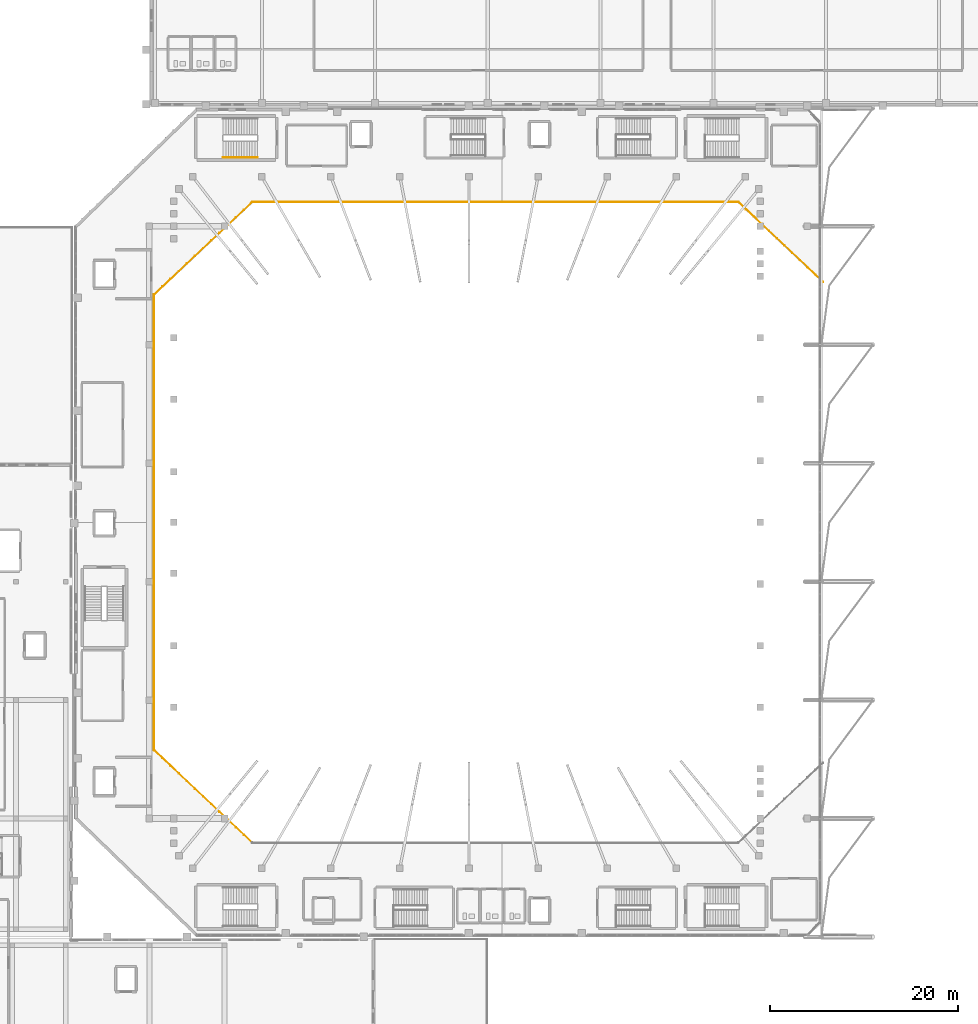
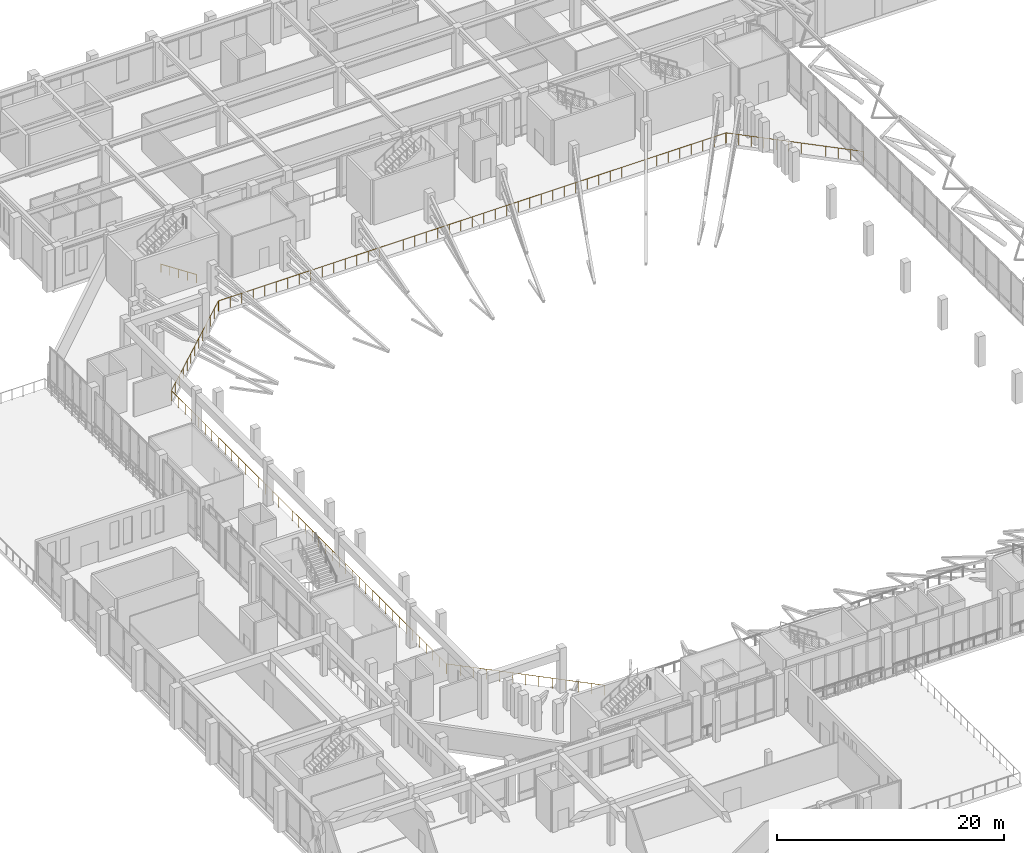
# One storey, part 76 of 79: 2 railings.
"""IFC4 building model written with IfcOpenShell, lengths in metres."""

from ifc_helpers import new_model, si_unit, derived_unit, direction, frame, origin, origin_2d, place, context, subcontext, project, spatial, circle, extrude, material, type_object, element, save


model = new_model("IFC4")

# Units and contexts
model_context = context("Model", 3, precision=1e-05, world=origin(), true_north=direction((0.0, 1.0)))
body_context = subcontext(model_context, "Body", "Model", "MODEL_VIEW")
ifc_project = project(units=[si_unit("LENGTHUNIT", "METRE"), si_unit("AREAUNIT", "SQUARE_METRE"), si_unit("VOLUMEUNIT", "CUBIC_METRE"), si_unit("PLANEANGLEUNIT", "RADIAN"), si_unit("MASSUNIT", "GRAM", prefix="KILO"), derived_unit("THERMALTRANSMITTANCEUNIT", [(si_unit("MASSUNIT", "GRAM", prefix="KILO"), 1), (si_unit("TIMEUNIT", "SECOND"), -3), (si_unit("THERMODYNAMICTEMPERATUREUNIT", "KELVIN"), -1)])], contexts=[model_context])

# Site, building, storey
site_placement = place(None, origin())
site = spatial("IfcSite", under=ifc_project, at=site_placement, CompositionType="ELEMENT")
building_placement = place(site_placement, origin())
building = spatial("IfcBuilding", under=site, at=building_placement, Name="Valcora Ridge Arena", CompositionType="ELEMENT")
storey_placement = place(building_placement, frame((0.0, 0.0, 16.199951171875)))
storey = spatial("IfcBuildingStorey", under=building, at=storey_placement, Name="L03", CompositionType="ELEMENT", Elevation=16.199951171875)

# Railings
ifc_material = material(Name="Galvanized painted steel ASTM A500 Grade B", Category="steel")
railing_type_1 = type_object("IfcRailingType", Name="TY-RAILING-GRD-VOID-1120", PredefinedType="GUARDRAIL", material=ifc_material)
railing_1_placement = place(storey_placement, frame((34.931396484375, 30.027099609375, 0.0)))
element("IfcRailing", 1, at=railing_1_placement, inside=storey, type_object=railing_type_1, Name="GRD-VOID-1120 RAL-DK-0007", PredefinedType="GUARDRAIL", context=body_context, shape_type="SweptSolid", body=[
    extrude(circle(Radius=0.02392578125, at=origin_2d()), frame((0.0, 0.0, 1.09619140625), z_axis=(-0.727784052116, 0.685806367341, 0.0), x_axis=(-0.685806367341, -0.727784052116, 0.0)), (0.0, 0.0, 1.0), 14.289794921875),
    extrude(circle(Radius=0.02392578125, at=origin_2d()), frame((-10.39990234375, 9.800048828125, 1.09619140625), z_axis=(-0.683157128776, 0.730271413519, 0.0), x_axis=(-0.730271413519, -0.683157128776, 0.0)), (0.0, 0.0, 1.0), 0.01025390625),
    extrude(circle(Radius=0.02392578125, at=origin_2d()), frame((-10.406982421875, 9.8076171875, 1.09619140625), z_axis=(-0.630592625094, 0.776114000116, 0.0), x_axis=(-0.776114000116, -0.630592625094, 0.0)), (0.0, 0.0, 1.0), 0.010009765625),
    extrude(circle(Radius=0.02392578125, at=origin_2d()), frame((-10.413330078125, 9.8154296875, 1.09619140625), z_axis=(-0.521450009454, 0.853281833652, 0.0), x_axis=(-0.853281833652, -0.521450009454, 0.0)), (0.0, 0.0, 1.0), 0.01025390625),
    extrude(circle(Radius=0.02392578125, at=origin_2d()), frame((-10.418701171875, 9.82421875, 1.09619140625), z_axis=(-0.437465718849, 0.899235088746, 0.0), x_axis=(-0.899235088746, -0.437465718849, 0.0)), (0.0, 0.0, 1.0), 0.010009765625),
    extrude(circle(Radius=0.02392578125, at=origin_2d()), frame((-10.423095703125, 9.833251953125, 1.09619140625), z_axis=(-0.358979079309, 0.933345606203, 0.0), x_axis=(-0.933345606203, -0.358979079309, 0.0)), (0.0, 0.0, 1.0), 0.01025390625),
    extrude(circle(Radius=0.02392578125, at=origin_2d()), frame((-10.4267578125, 9.8427734375, 1.09619140625), z_axis=(-0.236956180191, 0.971520338783, 0.0), x_axis=(-0.971520338783, -0.236956180191, 0.0)), (0.0, 0.0, 1.0), 0.01025390625),
    extrude(circle(Radius=0.02392578125, at=origin_2d()), frame((-10.42919921875, 9.852783203125, 1.09619140625), z_axis=(-0.168296462892, 0.98573642551, 0.0), x_axis=(-0.98573642551, -0.168296462892, 0.0)), (0.0, 0.0, 1.0), 0.01025390625),
    extrude(circle(Radius=0.02392578125, at=origin_2d()), frame((-10.430908203125, 9.86279296875, 1.09619140625), z_axis=(-0.048722553713, 0.998812351125, 0.0), x_axis=(-0.998812351125, -0.048722553713, 0.0)), (0.0, 0.0, 1.0), 0.010009765625),
    extrude(circle(Radius=0.02392578125, at=origin_2d()), frame((-10.431396484375, 9.872802734375, 1.09619140625), z_axis=(0.0, 1.0, 0.0), x_axis=(-1.0, 0.0, 0.0)), (0.0, 0.0, 1.0), 48.400146484375),
    extrude(circle(Radius=0.02392578125, at=origin_2d()), frame((-10.431396484375, 58.27294921875, 1.09619140625), z_axis=(0.047565149415, 0.998868137724, 0.0), x_axis=(-0.998868137724, 0.047565149415, 0.0)), (0.0, 0.0, 1.0), 0.01025390625),
    extrude(circle(Radius=0.02392578125, at=origin_2d()), frame((-10.430908203125, 58.283203125, 1.09619140625), z_axis=(0.168296462892, 0.98573642551, 0.0), x_axis=(-0.98573642551, 0.168296462892, 0.0)), (0.0, 0.0, 1.0), 0.01025390625),
    extrude(circle(Radius=0.02392578125, at=origin_2d()), frame((-10.42919921875, 58.293212890625, 1.09619140625), z_axis=(0.242535625036, 0.970142500145, 0.0), x_axis=(-0.970142500145, 0.242535625036, 0.0)), (0.0, 0.0, 1.0), 0.010009765625),
    extrude(circle(Radius=0.02392578125, at=origin_2d()), frame((-10.4267578125, 58.302978515625, 1.09619140625), z_axis=(0.358979079309, 0.933345606203, 0.0), x_axis=(-0.933345606203, 0.358979079309, 0.0)), (0.0, 0.0, 1.0), 0.01025390625),
    extrude(circle(Radius=0.02392578125, at=origin_2d()), frame((-10.423095703125, 58.3125, 1.09619140625), z_axis=(0.428086344739, 0.903737838894, 0.0), x_axis=(-0.903737838894, 0.428086344739, 0.0)), (0.0, 0.0, 1.0), 0.01025390625),
    extrude(circle(Radius=0.02392578125, at=origin_2d()), frame((-10.418701171875, 58.32177734375, 1.09619140625), z_axis=(0.532171545218, 0.846636549211, 0.0), x_axis=(-0.846636549211, 0.532171545218, 0.0)), (0.0, 0.0, 1.0), 0.010009765625),
    extrude(circle(Radius=0.02392578125, at=origin_2d()), frame((-10.413330078125, 58.330322265625, 1.09619140625), z_axis=(0.618872226604, 0.785491672228, 0.0), x_axis=(-0.785491672228, 0.618872226604, 0.0)), (0.0, 0.0, 1.0), 0.01025390625),
    extrude(circle(Radius=0.02392578125, at=origin_2d()), frame((-10.406982421875, 58.33837890625, 1.09619140625), z_axis=(0.695022096847, 0.718988376049, 0.0), x_axis=(-0.718988376049, 0.695022096847, 0.0)), (0.0, 0.0, 1.0), 0.01025390625),
    extrude(circle(Radius=0.02392578125, at=origin_2d()), frame((-10.39990234375, 58.345703125, 1.09619140625), z_axis=(0.727784052116, 0.685806367341, 0.0), x_axis=(-0.685806367341, 0.727784052116, 0.0)), (0.0, 0.0, 1.0), 14.289794921875),
    extrude(circle(Radius=0.02392578125, at=origin_2d()), frame((0.0, 68.145751953125, 1.09619140625), z_axis=(0.768221279597, 0.640184399664, 0.0), x_axis=(-0.640184399664, 0.768221279597, 0.0)), (0.0, 0.0, 1.0), 0.009521484375),
    extrude(circle(Radius=0.02392578125, at=origin_2d()), frame((0.00732421875, 68.15185546875, 1.09619140625), z_axis=(0.815507144735, 0.578747005941, 0.0), x_axis=(-0.578747005941, 0.815507144735, 0.0)), (0.0, 0.0, 1.0), 0.00927734375),
    extrude(circle(Radius=0.02392578125, at=origin_2d()), frame((0.014892578125, 68.1572265625, 1.09619140625), z_axis=(0.861934215158, 0.507020126563, 0.0), x_axis=(-0.507020126563, 0.861934215158, 0.0)), (0.0, 0.0, 1.0), 0.009521484375),
    extrude(circle(Radius=0.02392578125, at=origin_2d()), frame((0.023193359375, 68.162109375, 1.09619140625), z_axis=(0.919145030018, 0.393919298579, 0.0), x_axis=(-0.393919298579, 0.919145030018, 0.0)), (0.0, 0.0, 1.0), 0.00927734375),
    extrude(circle(Radius=0.02392578125, at=origin_2d()), frame((0.03173828125, 68.165771484375, 1.09619140625), z_axis=(0.940553899692, 0.339644463778, 0.0), x_axis=(-0.339644463778, 0.940553899692, 0.0)), (0.0, 0.0, 1.0), 0.00927734375),
    extrude(circle(Radius=0.02392578125, at=origin_2d()), frame((0.04052734375, 68.1689453125, 1.09619140625), z_axis=(0.97308028749, 0.230466383879, 0.0), x_axis=(-0.230466383879, 0.97308028749, 0.0)), (0.0, 0.0, 1.0), 0.009521484375),
    extrude(circle(Radius=0.02392578125, at=origin_2d()), frame((0.0498046875, 68.171142578125, 1.09619140625), z_axis=(0.987762965329, 0.155962573473, 0.0), x_axis=(-0.155962573473, 0.987762965329, 0.0)), (0.0, 0.0, 1.0), 0.00927734375),
    extrude(circle(Radius=0.02392578125, at=origin_2d()), frame((0.05908203125, 68.172607421875, 1.09619140625), z_axis=(0.999671430909, 0.025632600793, 0.0), x_axis=(-0.025632600793, 0.999671430909, 0.0)), (0.0, 0.0, 1.0), 0.009521484375),
    extrude(circle(Radius=0.02392578125, at=origin_2d()), frame((0.068603515625, 68.1728515625, 1.09619140625), z_axis=(1.0, 0.0, 0.0), x_axis=(0.0, 1.0, 0.0)), (0.0, 0.0, 1.0), 51.60009765625),
    extrude(circle(Radius=0.02392578125, at=origin_2d()), frame((51.668701171875, 68.1728515625, 1.09619140625), z_axis=(0.999653919353, -0.026306682088, 0.0), x_axis=(0.026306682088, 0.999653919353, 0.0)), (0.0, 0.0, 1.0), 0.00927734375),
    extrude(circle(Radius=0.02392578125, at=origin_2d()), frame((51.677978515625, 68.172607421875, 1.09619140625), z_axis=(0.988371697651, -0.152057184254, 0.0), x_axis=(0.152057184254, 0.988371697651, 0.0)), (0.0, 0.0, 1.0), 0.009521484375),
    extrude(circle(Radius=0.02392578125, at=origin_2d()), frame((51.6875, 68.171142578125, 1.09619140625), z_axis=(0.971667603162, -0.236351579148, 0.0), x_axis=(0.236351579148, 0.971667603162, 0.0)), (0.0, 0.0, 1.0), 0.00927734375),
    extrude(circle(Radius=0.02392578125, at=origin_2d()), frame((51.696533203125, 68.1689453125, 1.09619140625), z_axis=(0.943460139651, -0.331485995013, 0.0), x_axis=(0.331485995013, 0.943460139651, 0.0)), (0.0, 0.0, 1.0), 0.009521484375),
    extrude(circle(Radius=0.02392578125, at=origin_2d()), frame((51.70556640625, 68.165771484375, 1.09619140625), z_axis=(0.919145030018, -0.393919298579, 0.0), x_axis=(0.393919298579, 0.919145030018, 0.0)), (0.0, 0.0, 1.0), 0.00927734375),
    extrude(circle(Radius=0.02392578125, at=origin_2d()), frame((51.714111328125, 68.162109375, 1.09619140625), z_axis=(0.861934215158, -0.507020126563, 0.0), x_axis=(0.507020126563, 0.861934215158, 0.0)), (0.0, 0.0, 1.0), 0.009521484375),
    extrude(circle(Radius=0.02392578125, at=origin_2d()), frame((51.722412109375, 68.1572265625, 1.09619140625), z_axis=(0.815507144735, -0.578747005941, 0.0), x_axis=(0.578747005941, 0.815507144735, 0.0)), (0.0, 0.0, 1.0), 0.00927734375),
    extrude(circle(Radius=0.02392578125, at=origin_2d()), frame((51.72998046875, 68.15185546875, 1.09619140625), z_axis=(0.768221279597, -0.640184399664, 0.0), x_axis=(0.640184399664, 0.768221279597, 0.0)), (0.0, 0.0, 1.0), 0.009521484375),
    extrude(circle(Radius=0.02392578125, at=origin_2d()), frame((51.7373046875, 68.145751953125, 1.09619140625), z_axis=(0.727780642082, -0.685809986083, 0.0), x_axis=(0.685809986083, 0.727780642082, 0.0)), (0.0, 0.0, 1.0), 12.37841796875),
    extrude(circle(Radius=0.02099609375, at=origin_2d()), origin(), (0.0, 0.0, 1.0), 1.072021484375),
    extrude(circle(Radius=0.02099609375, at=origin_2d()), frame((-0.86669921875, 0.816650390625, 0.0)), (0.0, 0.0, 1.0), 1.072021484375),
    extrude(circle(Radius=0.02099609375, at=origin_2d()), frame((-1.7333984375, 1.63330078125, 0.0)), (0.0, 0.0, 1.0), 1.072021484375),
    extrude(circle(Radius=0.02099609375, at=origin_2d()), frame((-2.60009765625, 2.449951171875, 0.0)), (0.0, 0.0, 1.0), 1.072021484375),
    extrude(circle(Radius=0.02099609375, at=origin_2d()), frame((-3.466552734375, 3.2666015625, 0.0)), (0.0, 0.0, 1.0), 1.072021484375),
    extrude(circle(Radius=0.02099609375, at=origin_2d()), frame((-4.333251953125, 4.083251953125, 0.0)), (0.0, 0.0, 1.0), 1.072021484375),
    extrude(circle(Radius=0.02099609375, at=origin_2d()), frame((-5.199951171875, 4.89990234375, 0.0)), (0.0, 0.0, 1.0), 1.072021484375),
    extrude(circle(Radius=0.02099609375, at=origin_2d()), frame((-6.066650390625, 5.716796875, 0.0)), (0.0, 0.0, 1.0), 1.072021484375),
    extrude(circle(Radius=0.02099609375, at=origin_2d()), frame((-6.933349609375, 6.533447265625, 0.0)), (0.0, 0.0, 1.0), 1.072021484375),
    extrude(circle(Radius=0.02099609375, at=origin_2d()), frame((-7.7998046875, 7.35009765625, 0.0)), (0.0, 0.0, 1.0), 1.072021484375),
    extrude(circle(Radius=0.02099609375, at=origin_2d()), frame((-8.66650390625, 8.166748046875, 0.0)), (0.0, 0.0, 1.0), 1.072021484375),
    extrude(circle(Radius=0.02099609375, at=origin_2d()), frame((-9.533203125, 8.9833984375, 0.0)), (0.0, 0.0, 1.0), 1.072021484375),
    extrude(circle(Radius=0.02099609375, at=origin_2d()), frame((-10.39990234375, 9.800048828125, 0.0)), (0.0, 0.0, 1.0), 1.072021484375),
    extrude(circle(Radius=0.02099609375, at=origin_2d()), frame((-10.406982421875, 9.8076171875, 0.0)), (0.0, 0.0, 1.0), 1.072021484375),
    extrude(circle(Radius=0.02099609375, at=origin_2d()), frame((-10.413330078125, 9.8154296875, 0.0)), (0.0, 0.0, 1.0), 1.072021484375),
    extrude(circle(Radius=0.02099609375, at=origin_2d()), frame((-10.418701171875, 9.82421875, 0.0)), (0.0, 0.0, 1.0), 1.072021484375),
    extrude(circle(Radius=0.02099609375, at=origin_2d()), frame((-10.423095703125, 9.833251953125, 0.0)), (0.0, 0.0, 1.0), 1.072021484375),
    extrude(circle(Radius=0.02099609375, at=origin_2d()), frame((-10.4267578125, 9.8427734375, 0.0)), (0.0, 0.0, 1.0), 1.072021484375),
    extrude(circle(Radius=0.02099609375, at=origin_2d()), frame((-10.42919921875, 9.852783203125, 0.0)), (0.0, 0.0, 1.0), 1.072021484375),
    extrude(circle(Radius=0.02099609375, at=origin_2d()), frame((-10.430908203125, 9.86279296875, 0.0)), (0.0, 0.0, 1.0), 1.072021484375),
    extrude(circle(Radius=0.02099609375, at=origin_2d()), frame((-10.431396484375, 9.872802734375, 0.0)), (0.0, 0.0, 1.0), 1.072021484375),
    extrude(circle(Radius=0.02099609375, at=origin_2d()), frame((-10.431396484375, 11.05322265625, 0.0)), (0.0, 0.0, 1.0), 1.072021484375),
    extrude(circle(Radius=0.02099609375, at=origin_2d()), frame((-10.431396484375, 12.23388671875, 0.0)), (0.0, 0.0, 1.0), 1.072021484375),
    extrude(circle(Radius=0.02099609375, at=origin_2d()), frame((-10.431396484375, 13.414306640625, 0.0)), (0.0, 0.0, 1.0), 1.072021484375),
    extrude(circle(Radius=0.02099609375, at=origin_2d()), frame((-10.431396484375, 14.5947265625, 0.0)), (0.0, 0.0, 1.0), 1.072021484375),
    extrude(circle(Radius=0.02099609375, at=origin_2d()), frame((-10.431396484375, 15.775146484375, 0.0)), (0.0, 0.0, 1.0), 1.072021484375),
    extrude(circle(Radius=0.02099609375, at=origin_2d()), frame((-10.431396484375, 16.955810546875, 0.0)), (0.0, 0.0, 1.0), 1.072021484375),
    extrude(circle(Radius=0.02099609375, at=origin_2d()), frame((-10.431396484375, 18.13623046875, 0.0)), (0.0, 0.0, 1.0), 1.072021484375),
    extrude(circle(Radius=0.02099609375, at=origin_2d()), frame((-10.431396484375, 19.316650390625, 0.0)), (0.0, 0.0, 1.0), 1.072021484375),
    extrude(circle(Radius=0.02099609375, at=origin_2d()), frame((-10.431396484375, 20.497314453125, 0.0)), (0.0, 0.0, 1.0), 1.072021484375),
    extrude(circle(Radius=0.02099609375, at=origin_2d()), frame((-10.431396484375, 21.677734375, 0.0)), (0.0, 0.0, 1.0), 1.072021484375),
    extrude(circle(Radius=0.02099609375, at=origin_2d()), frame((-10.431396484375, 22.858154296875, 0.0)), (0.0, 0.0, 1.0), 1.072021484375),
    extrude(circle(Radius=0.02099609375, at=origin_2d()), frame((-10.431396484375, 24.038818359375, 0.0)), (0.0, 0.0, 1.0), 1.072021484375),
    extrude(circle(Radius=0.02099609375, at=origin_2d()), frame((-10.431396484375, 25.21923828125, 0.0)), (0.0, 0.0, 1.0), 1.072021484375),
    extrude(circle(Radius=0.02099609375, at=origin_2d()), frame((-10.431396484375, 26.399658203125, 0.0)), (0.0, 0.0, 1.0), 1.072021484375),
    extrude(circle(Radius=0.02099609375, at=origin_2d()), frame((-10.431396484375, 27.580078125, 0.0)), (0.0, 0.0, 1.0), 1.072021484375),
    extrude(circle(Radius=0.02099609375, at=origin_2d()), frame((-10.431396484375, 28.7607421875, 0.0)), (0.0, 0.0, 1.0), 1.072021484375),
    extrude(circle(Radius=0.02099609375, at=origin_2d()), frame((-10.431396484375, 29.941162109375, 0.0)), (0.0, 0.0, 1.0), 1.072021484375),
    extrude(circle(Radius=0.02099609375, at=origin_2d()), frame((-10.431396484375, 31.12158203125, 0.0)), (0.0, 0.0, 1.0), 1.072021484375),
    extrude(circle(Radius=0.02099609375, at=origin_2d()), frame((-10.431396484375, 32.30224609375, 0.0)), (0.0, 0.0, 1.0), 1.072021484375),
    extrude(circle(Radius=0.02099609375, at=origin_2d()), frame((-10.431396484375, 33.482666015625, 0.0)), (0.0, 0.0, 1.0), 1.072021484375),
    extrude(circle(Radius=0.02099609375, at=origin_2d()), frame((-10.431396484375, 34.6630859375, 0.0)), (0.0, 0.0, 1.0), 1.072021484375),
    extrude(circle(Radius=0.02099609375, at=origin_2d()), frame((-10.431396484375, 35.843505859375, 0.0)), (0.0, 0.0, 1.0), 1.072021484375),
    extrude(circle(Radius=0.02099609375, at=origin_2d()), frame((-10.431396484375, 37.024169921875, 0.0)), (0.0, 0.0, 1.0), 1.072021484375),
    extrude(circle(Radius=0.02099609375, at=origin_2d()), frame((-10.431396484375, 38.20458984375, 0.0)), (0.0, 0.0, 1.0), 1.072021484375),
    extrude(circle(Radius=0.02099609375, at=origin_2d()), frame((-10.431396484375, 39.385009765625, 0.0)), (0.0, 0.0, 1.0), 1.072021484375),
    extrude(circle(Radius=0.02099609375, at=origin_2d()), frame((-10.431396484375, 40.565673828125, 0.0)), (0.0, 0.0, 1.0), 1.072021484375),
    extrude(circle(Radius=0.02099609375, at=origin_2d()), frame((-10.431396484375, 41.74609375, 0.0)), (0.0, 0.0, 1.0), 1.072021484375),
    extrude(circle(Radius=0.02099609375, at=origin_2d()), frame((-10.431396484375, 42.926513671875, 0.0)), (0.0, 0.0, 1.0), 1.072021484375),
    extrude(circle(Radius=0.02099609375, at=origin_2d()), frame((-10.431396484375, 44.10693359375, 0.0)), (0.0, 0.0, 1.0), 1.072021484375),
    extrude(circle(Radius=0.02099609375, at=origin_2d()), frame((-10.431396484375, 45.28759765625, 0.0)), (0.0, 0.0, 1.0), 1.072021484375),
    extrude(circle(Radius=0.02099609375, at=origin_2d()), frame((-10.431396484375, 46.468017578125, 0.0)), (0.0, 0.0, 1.0), 1.072021484375),
    extrude(circle(Radius=0.02099609375, at=origin_2d()), frame((-10.431396484375, 47.6484375, 0.0)), (0.0, 0.0, 1.0), 1.072021484375),
    extrude(circle(Radius=0.02099609375, at=origin_2d()), frame((-10.431396484375, 48.8291015625, 0.0)), (0.0, 0.0, 1.0), 1.072021484375),
    extrude(circle(Radius=0.02099609375, at=origin_2d()), frame((-10.431396484375, 50.009521484375, 0.0)), (0.0, 0.0, 1.0), 1.072021484375),
    extrude(circle(Radius=0.02099609375, at=origin_2d()), frame((-10.431396484375, 51.18994140625, 0.0)), (0.0, 0.0, 1.0), 1.072021484375),
    extrude(circle(Radius=0.02099609375, at=origin_2d()), frame((-10.431396484375, 52.37060546875, 0.0)), (0.0, 0.0, 1.0), 1.072021484375),
    extrude(circle(Radius=0.02099609375, at=origin_2d()), frame((-10.431396484375, 53.551025390625, 0.0)), (0.0, 0.0, 1.0), 1.072021484375),
    extrude(circle(Radius=0.02099609375, at=origin_2d()), frame((-10.431396484375, 54.7314453125, 0.0)), (0.0, 0.0, 1.0), 1.072021484375),
    extrude(circle(Radius=0.02099609375, at=origin_2d()), frame((-10.431396484375, 55.911865234375, 0.0)), (0.0, 0.0, 1.0), 1.072021484375),
    extrude(circle(Radius=0.02099609375, at=origin_2d()), frame((-10.431396484375, 57.092529296875, 0.0)), (0.0, 0.0, 1.0), 1.072021484375),
    extrude(circle(Radius=0.02099609375, at=origin_2d()), frame((-10.431396484375, 58.27294921875, 0.0)), (0.0, 0.0, 1.0), 1.072021484375),
    extrude(circle(Radius=0.02099609375, at=origin_2d()), frame((-10.430908203125, 58.283203125, 0.0)), (0.0, 0.0, 1.0), 1.072021484375),
    extrude(circle(Radius=0.02099609375, at=origin_2d()), frame((-10.42919921875, 58.293212890625, 0.0)), (0.0, 0.0, 1.0), 1.072021484375),
    extrude(circle(Radius=0.02099609375, at=origin_2d()), frame((-10.4267578125, 58.302978515625, 0.0)), (0.0, 0.0, 1.0), 1.072021484375),
    extrude(circle(Radius=0.02099609375, at=origin_2d()), frame((-10.423095703125, 58.3125, 0.0)), (0.0, 0.0, 1.0), 1.072021484375),
    extrude(circle(Radius=0.02099609375, at=origin_2d()), frame((-10.418701171875, 58.32177734375, 0.0)), (0.0, 0.0, 1.0), 1.072021484375),
    extrude(circle(Radius=0.02099609375, at=origin_2d()), frame((-10.413330078125, 58.330322265625, 0.0)), (0.0, 0.0, 1.0), 1.072021484375),
    extrude(circle(Radius=0.02099609375, at=origin_2d()), frame((-10.406982421875, 58.33837890625, 0.0)), (0.0, 0.0, 1.0), 1.072021484375),
    extrude(circle(Radius=0.02099609375, at=origin_2d()), frame((-10.39990234375, 58.345703125, 0.0)), (0.0, 0.0, 1.0), 1.072021484375),
    extrude(circle(Radius=0.02099609375, at=origin_2d()), frame((-9.533203125, 59.162353515625, 0.0)), (0.0, 0.0, 1.0), 1.072021484375),
    extrude(circle(Radius=0.02099609375, at=origin_2d()), frame((-8.66650390625, 59.97900390625, 0.0)), (0.0, 0.0, 1.0), 1.072021484375),
    extrude(circle(Radius=0.02099609375, at=origin_2d()), frame((-7.7998046875, 60.795654296875, 0.0)), (0.0, 0.0, 1.0), 1.072021484375),
    extrude(circle(Radius=0.02099609375, at=origin_2d()), frame((-6.933349609375, 61.6123046875, 0.0)), (0.0, 0.0, 1.0), 1.072021484375),
    extrude(circle(Radius=0.02099609375, at=origin_2d()), frame((-6.066650390625, 62.428955078125, 0.0)), (0.0, 0.0, 1.0), 1.072021484375),
    extrude(circle(Radius=0.02099609375, at=origin_2d()), frame((-5.199951171875, 63.24560546875, 0.0)), (0.0, 0.0, 1.0), 1.072021484375),
    extrude(circle(Radius=0.02099609375, at=origin_2d()), frame((-4.333251953125, 64.0625, 0.0)), (0.0, 0.0, 1.0), 1.072021484375),
    extrude(circle(Radius=0.02099609375, at=origin_2d()), frame((-3.466552734375, 64.879150390625, 0.0)), (0.0, 0.0, 1.0), 1.072021484375),
    extrude(circle(Radius=0.02099609375, at=origin_2d()), frame((-2.60009765625, 65.69580078125, 0.0)), (0.0, 0.0, 1.0), 1.072021484375),
    extrude(circle(Radius=0.02099609375, at=origin_2d()), frame((-1.7333984375, 66.512451171875, 0.0)), (0.0, 0.0, 1.0), 1.072021484375),
    extrude(circle(Radius=0.02099609375, at=origin_2d()), frame((-0.86669921875, 67.3291015625, 0.0)), (0.0, 0.0, 1.0), 1.072021484375),
    extrude(circle(Radius=0.02099609375, at=origin_2d()), frame((0.0, 68.145751953125, 0.0)), (0.0, 0.0, 1.0), 1.072021484375),
    extrude(circle(Radius=0.02099609375, at=origin_2d()), frame((0.00732421875, 68.15185546875, 0.0)), (0.0, 0.0, 1.0), 1.072021484375),
    extrude(circle(Radius=0.02099609375, at=origin_2d()), frame((0.014892578125, 68.1572265625, 0.0)), (0.0, 0.0, 1.0), 1.072021484375),
    extrude(circle(Radius=0.02099609375, at=origin_2d()), frame((0.023193359375, 68.162109375, 0.0)), (0.0, 0.0, 1.0), 1.072021484375),
    extrude(circle(Radius=0.02099609375, at=origin_2d()), frame((0.03173828125, 68.165771484375, 0.0)), (0.0, 0.0, 1.0), 1.072021484375),
    extrude(circle(Radius=0.02099609375, at=origin_2d()), frame((0.04052734375, 68.1689453125, 0.0)), (0.0, 0.0, 1.0), 1.072021484375),
    extrude(circle(Radius=0.02099609375, at=origin_2d()), frame((0.0498046875, 68.171142578125, 0.0)), (0.0, 0.0, 1.0), 1.072021484375),
    extrude(circle(Radius=0.02099609375, at=origin_2d()), frame((0.05908203125, 68.172607421875, 0.0)), (0.0, 0.0, 1.0), 1.072021484375),
    extrude(circle(Radius=0.02099609375, at=origin_2d()), frame((0.068603515625, 68.1728515625, 0.0)), (0.0, 0.0, 1.0), 1.072021484375),
    extrude(circle(Radius=0.02099609375, at=origin_2d()), frame((1.2412109375, 68.1728515625, 0.0)), (0.0, 0.0, 1.0), 1.072021484375),
    extrude(circle(Radius=0.02099609375, at=origin_2d()), frame((2.4140625, 68.1728515625, 0.0)), (0.0, 0.0, 1.0), 1.072021484375),
    extrude(circle(Radius=0.02099609375, at=origin_2d()), frame((3.586669921875, 68.1728515625, 0.0)), (0.0, 0.0, 1.0), 1.072021484375),
    extrude(circle(Radius=0.02099609375, at=origin_2d()), frame((4.759521484375, 68.1728515625, 0.0)), (0.0, 0.0, 1.0), 1.072021484375),
    extrude(circle(Radius=0.02099609375, at=origin_2d()), frame((5.93212890625, 68.1728515625, 0.0)), (0.0, 0.0, 1.0), 1.072021484375),
    extrude(circle(Radius=0.02099609375, at=origin_2d()), frame((7.10498046875, 68.1728515625, 0.0)), (0.0, 0.0, 1.0), 1.072021484375),
    extrude(circle(Radius=0.02099609375, at=origin_2d()), frame((8.27783203125, 68.1728515625, 0.0)), (0.0, 0.0, 1.0), 1.072021484375),
    extrude(circle(Radius=0.02099609375, at=origin_2d()), frame((9.450439453125, 68.1728515625, 0.0)), (0.0, 0.0, 1.0), 1.072021484375),
    extrude(circle(Radius=0.02099609375, at=origin_2d()), frame((10.623046875, 68.1728515625, 0.0)), (0.0, 0.0, 1.0), 1.072021484375),
    extrude(circle(Radius=0.02099609375, at=origin_2d()), frame((11.7958984375, 68.1728515625, 0.0)), (0.0, 0.0, 1.0), 1.072021484375),
    extrude(circle(Radius=0.02099609375, at=origin_2d()), frame((12.96875, 68.1728515625, 0.0)), (0.0, 0.0, 1.0), 1.072021484375),
    extrude(circle(Radius=0.02099609375, at=origin_2d()), frame((14.141357421875, 68.1728515625, 0.0)), (0.0, 0.0, 1.0), 1.072021484375),
    extrude(circle(Radius=0.02099609375, at=origin_2d()), frame((15.31396484375, 68.1728515625, 0.0)), (0.0, 0.0, 1.0), 1.072021484375),
    extrude(circle(Radius=0.02099609375, at=origin_2d()), frame((16.48681640625, 68.1728515625, 0.0)), (0.0, 0.0, 1.0), 1.072021484375),
    extrude(circle(Radius=0.02099609375, at=origin_2d()), frame((17.65966796875, 68.1728515625, 0.0)), (0.0, 0.0, 1.0), 1.072021484375),
    extrude(circle(Radius=0.02099609375, at=origin_2d()), frame((18.832275390625, 68.1728515625, 0.0)), (0.0, 0.0, 1.0), 1.072021484375),
    extrude(circle(Radius=0.02099609375, at=origin_2d()), frame((20.0048828125, 68.1728515625, 0.0)), (0.0, 0.0, 1.0), 1.072021484375),
    extrude(circle(Radius=0.02099609375, at=origin_2d()), frame((21.177734375, 68.1728515625, 0.0)), (0.0, 0.0, 1.0), 1.072021484375),
    extrude(circle(Radius=0.02099609375, at=origin_2d()), frame((22.3505859375, 68.1728515625, 0.0)), (0.0, 0.0, 1.0), 1.072021484375),
    extrude(circle(Radius=0.02099609375, at=origin_2d()), frame((23.523193359375, 68.1728515625, 0.0)), (0.0, 0.0, 1.0), 1.072021484375),
    extrude(circle(Radius=0.02099609375, at=origin_2d()), frame((24.69580078125, 68.1728515625, 0.0)), (0.0, 0.0, 1.0), 1.072021484375),
    extrude(circle(Radius=0.02099609375, at=origin_2d()), frame((25.86865234375, 68.1728515625, 0.0)), (0.0, 0.0, 1.0), 1.072021484375),
    extrude(circle(Radius=0.02099609375, at=origin_2d()), frame((27.04150390625, 68.1728515625, 0.0)), (0.0, 0.0, 1.0), 1.072021484375),
    extrude(circle(Radius=0.02099609375, at=origin_2d()), frame((28.214111328125, 68.1728515625, 0.0)), (0.0, 0.0, 1.0), 1.072021484375),
    extrude(circle(Radius=0.02099609375, at=origin_2d()), frame((29.386962890625, 68.1728515625, 0.0)), (0.0, 0.0, 1.0), 1.072021484375),
    extrude(circle(Radius=0.02099609375, at=origin_2d()), frame((30.5595703125, 68.1728515625, 0.0)), (0.0, 0.0, 1.0), 1.072021484375),
    extrude(circle(Radius=0.02099609375, at=origin_2d()), frame((31.732421875, 68.1728515625, 0.0)), (0.0, 0.0, 1.0), 1.072021484375),
    extrude(circle(Radius=0.02099609375, at=origin_2d()), frame((32.905029296875, 68.1728515625, 0.0)), (0.0, 0.0, 1.0), 1.072021484375),
    extrude(circle(Radius=0.02099609375, at=origin_2d()), frame((34.07763671875, 68.1728515625, 0.0)), (0.0, 0.0, 1.0), 1.072021484375),
    extrude(circle(Radius=0.02099609375, at=origin_2d()), frame((35.25048828125, 68.1728515625, 0.0)), (0.0, 0.0, 1.0), 1.072021484375),
    extrude(circle(Radius=0.02099609375, at=origin_2d()), frame((36.42333984375, 68.1728515625, 0.0)), (0.0, 0.0, 1.0), 1.072021484375),
    extrude(circle(Radius=0.02099609375, at=origin_2d()), frame((37.595947265625, 68.1728515625, 0.0)), (0.0, 0.0, 1.0), 1.072021484375),
    extrude(circle(Radius=0.02099609375, at=origin_2d()), frame((38.7685546875, 68.1728515625, 0.0)), (0.0, 0.0, 1.0), 1.072021484375),
    extrude(circle(Radius=0.02099609375, at=origin_2d()), frame((39.94140625, 68.1728515625, 0.0)), (0.0, 0.0, 1.0), 1.072021484375),
    extrude(circle(Radius=0.02099609375, at=origin_2d()), frame((41.1142578125, 68.1728515625, 0.0)), (0.0, 0.0, 1.0), 1.072021484375),
    extrude(circle(Radius=0.02099609375, at=origin_2d()), frame((42.286865234375, 68.1728515625, 0.0)), (0.0, 0.0, 1.0), 1.072021484375),
    extrude(circle(Radius=0.02099609375, at=origin_2d()), frame((43.45947265625, 68.1728515625, 0.0)), (0.0, 0.0, 1.0), 1.072021484375),
    extrude(circle(Radius=0.02099609375, at=origin_2d()), frame((44.63232421875, 68.1728515625, 0.0)), (0.0, 0.0, 1.0), 1.072021484375),
    extrude(circle(Radius=0.02099609375, at=origin_2d()), frame((45.80517578125, 68.1728515625, 0.0)), (0.0, 0.0, 1.0), 1.072021484375),
    extrude(circle(Radius=0.02099609375, at=origin_2d()), frame((46.977783203125, 68.1728515625, 0.0)), (0.0, 0.0, 1.0), 1.072021484375),
    extrude(circle(Radius=0.02099609375, at=origin_2d()), frame((48.150390625, 68.1728515625, 0.0)), (0.0, 0.0, 1.0), 1.072021484375),
    extrude(circle(Radius=0.02099609375, at=origin_2d()), frame((49.3232421875, 68.1728515625, 0.0)), (0.0, 0.0, 1.0), 1.072021484375),
    extrude(circle(Radius=0.02099609375, at=origin_2d()), frame((50.49609375, 68.1728515625, 0.0)), (0.0, 0.0, 1.0), 1.072021484375),
    extrude(circle(Radius=0.02099609375, at=origin_2d()), frame((51.668701171875, 68.1728515625, 0.0)), (0.0, 0.0, 1.0), 1.072021484375),
    extrude(circle(Radius=0.02099609375, at=origin_2d()), frame((51.677978515625, 68.172607421875, 0.0)), (0.0, 0.0, 1.0), 1.072021484375),
    extrude(circle(Radius=0.02099609375, at=origin_2d()), frame((51.6875, 68.171142578125, 0.0)), (0.0, 0.0, 1.0), 1.072021484375),
    extrude(circle(Radius=0.02099609375, at=origin_2d()), frame((51.696533203125, 68.1689453125, 0.0)), (0.0, 0.0, 1.0), 1.072021484375),
    extrude(circle(Radius=0.02099609375, at=origin_2d()), frame((51.70556640625, 68.165771484375, 0.0)), (0.0, 0.0, 1.0), 1.072021484375),
    extrude(circle(Radius=0.02099609375, at=origin_2d()), frame((51.714111328125, 68.162109375, 0.0)), (0.0, 0.0, 1.0), 1.072021484375),
    extrude(circle(Radius=0.02099609375, at=origin_2d()), frame((51.722412109375, 68.1572265625, 0.0)), (0.0, 0.0, 1.0), 1.072021484375),
    extrude(circle(Radius=0.02099609375, at=origin_2d()), frame((51.72998046875, 68.15185546875, 0.0)), (0.0, 0.0, 1.0), 1.072021484375),
    extrude(circle(Radius=0.02099609375, at=origin_2d()), frame((51.7373046875, 68.145751953125, 0.0)), (0.0, 0.0, 1.0), 1.072021484375),
    extrude(circle(Radius=0.02099609375, at=origin_2d()), frame((52.556396484375, 67.3740234375, 0.0)), (0.0, 0.0, 1.0), 1.072021484375),
    extrude(circle(Radius=0.02099609375, at=origin_2d()), frame((53.375244140625, 66.602294921875, 0.0)), (0.0, 0.0, 1.0), 1.072021484375),
    extrude(circle(Radius=0.02099609375, at=origin_2d()), frame((54.1943359375, 65.83056640625, 0.0)), (0.0, 0.0, 1.0), 1.072021484375),
    extrude(circle(Radius=0.02099609375, at=origin_2d()), frame((55.01318359375, 65.058837890625, 0.0)), (0.0, 0.0, 1.0), 1.072021484375),
    extrude(circle(Radius=0.02099609375, at=origin_2d()), frame((55.832275390625, 64.287109375, 0.0)), (0.0, 0.0, 1.0), 1.072021484375),
    extrude(circle(Radius=0.02099609375, at=origin_2d()), frame((56.651123046875, 63.51513671875, 0.0)), (0.0, 0.0, 1.0), 1.072021484375),
    extrude(circle(Radius=0.02099609375, at=origin_2d()), frame((57.47021484375, 62.743408203125, 0.0)), (0.0, 0.0, 1.0), 1.072021484375),
    extrude(circle(Radius=0.02099609375, at=origin_2d()), frame((58.2890625, 61.9716796875, 0.0)), (0.0, 0.0, 1.0), 1.072021484375),
    extrude(circle(Radius=0.02099609375, at=origin_2d()), frame((59.108154296875, 61.199951171875, 0.0)), (0.0, 0.0, 1.0), 1.072021484375),
    extrude(circle(Radius=0.02099609375, at=origin_2d()), frame((59.927001953125, 60.42822265625, 0.0)), (0.0, 0.0, 1.0), 1.072021484375),
    extrude(circle(Radius=0.02099609375, at=origin_2d()), frame((60.74609375, 59.656494140625, 0.0)), (0.0, 0.0, 1.0), 1.072021484375),
])
railing_type_2 = type_object("IfcRailingType", Name="TY-RAILING-HR-STAIR-900", PredefinedType="HANDRAIL", material=ifc_material)
railing_2_placement = place(storey_placement, frame((35.489990234375, 102.93994140625, 0.0)))
element("IfcRailing", 2, at=railing_2_placement, inside=storey, type_object=railing_type_2, Name="HR-STAIR-900 RAL-SH-0031", PredefinedType="HANDRAIL", context=body_context, shape_type="SweptSolid", body=[
    extrude(circle(Radius=0.02392578125, at=origin_2d()), frame((0.0, 0.0, 0.8759765625), z_axis=(-0.834839479206, 0.0, 0.550493454965), x_axis=(0.0, -1.0, 0.0)), (0.0, 0.0, 1.0), 4.360107421875),
    extrude(circle(Radius=0.02099609375, at=origin_2d()), origin(), (0.0, 0.0, 1.0), 0.851806640625),
    extrude(circle(Radius=0.02099609375, at=origin_2d()), frame((-0.909912109375, 0.0, 0.60009765625)), (0.0, 0.0, 1.0), 0.851806640625),
    extrude(circle(Radius=0.02099609375, at=origin_2d()), frame((-1.81982421875, 0.0, 1.2001953125)), (0.0, 0.0, 1.0), 0.851806640625),
    extrude(circle(Radius=0.02099609375, at=origin_2d()), frame((-2.72998046875, 0.0, 1.800048828125)), (0.0, 0.0, 1.0), 0.851806640625),
    extrude(circle(Radius=0.02099609375, at=origin_2d()), frame((-3.639892578125, 0.0, 2.400146484375)), (0.0, 0.0, 1.0), 0.851806640625),
])

save(model, "model.ifc")
